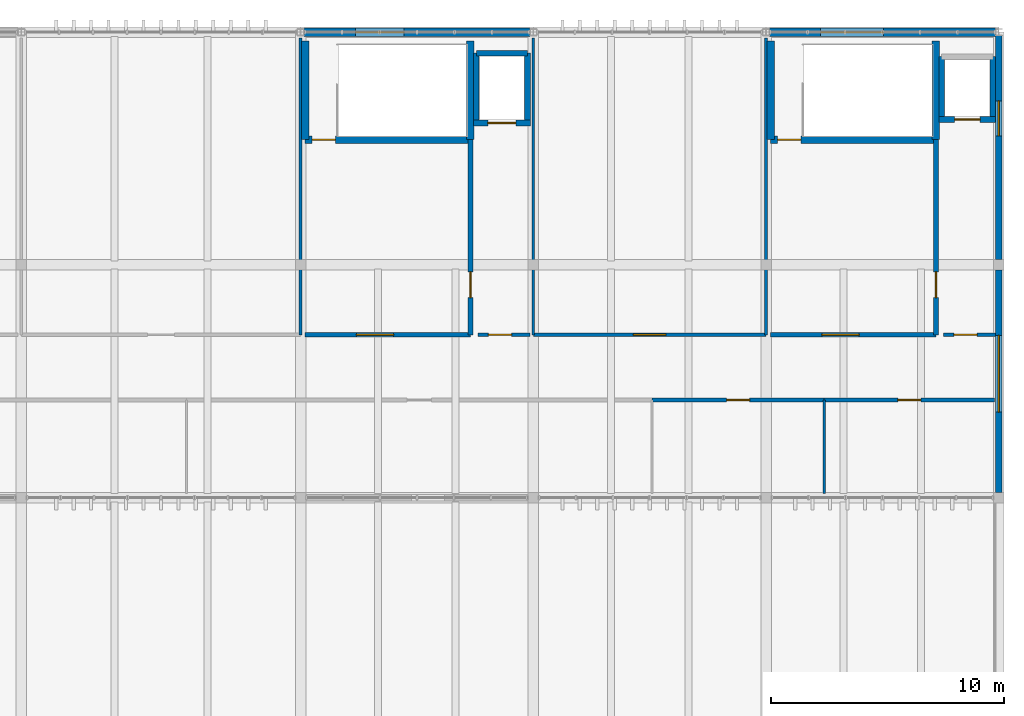
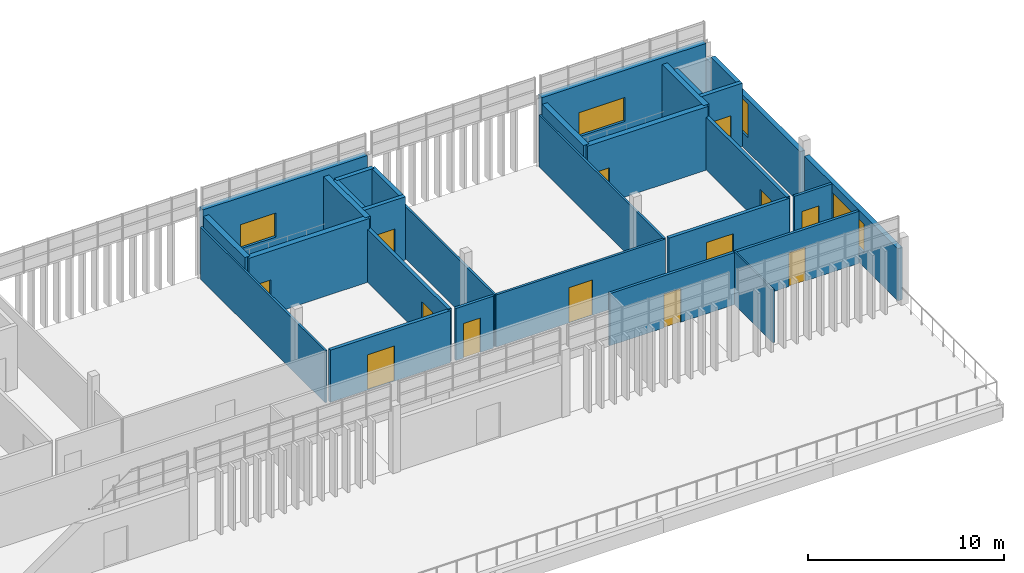
# One storey, part 34 of 36: 30 walls, 13 doors, 4 windows, 17 openings.
"""IFC4 building model written with IfcOpenShell, lengths in metres."""

import ifcopenshell
import ifcopenshell.guid

model = None  # the IFC model being written
_history = None  # IfcOwnerHistory: only IFC2X3 demands one
_inside = {}  # id of a spatial element -> (the spatial element, [elements in it])
_under = {}  # id of a project, library or spatial element -> (it, [spatial elements below it])
_declared = {}  # id of a project -> (the project, [libraries it declares])
_typed = {}  # id of a type object -> (the type object, [elements of that type])
_made_of = {}  # id of a material, layer set ... -> (it, [elements and type objects made of it])


def new_model(schema):
    """Start an empty IFC model of exactly this schema.

    Asked for "IFC4X3", IfcOpenShell would pick the latest addendum, in which some entities
    have other attributes; the version numbers below select the first issue.
    IFC2X3 requires an IfcOwnerHistory on every rooted entity: one is made here for all.
    """
    global model, _history
    if schema == "IFC4X3":
        model = ifcopenshell.file(schema_version=(4, 3, 0, 0))
    else:
        model = ifcopenshell.file(schema=schema)
    _inside.clear()
    _under.clear()
    _declared.clear()
    _typed.clear()
    _made_of.clear()
    _history = None
    if model.schema == "IFC2X3":
        org = make("IfcOrganization", Name="unknown")
        user = make(
            "IfcPersonAndOrganization",
            ThePerson=make("IfcPerson", FamilyName="unknown"),
            TheOrganization=org,
        )
        app = make(
            "IfcApplication",
            ApplicationDeveloper=org,
            Version="unknown",
            ApplicationFullName="unknown",
            ApplicationIdentifier="unknown",
        )
        _history = make(
            "IfcOwnerHistory",
            OwningUser=user,
            OwningApplication=app,
            ChangeAction="ADDED",
            CreationDate=0,
        )
    return model


def make(cls, **values):
    """One entity of the class cls with the attributes given. An attribute that is None is left unset."""
    return model.create_entity(
        cls, **{name: value for name, value in values.items() if value is not None}
    )


def rooted(cls, **values):
    """An entity with a GlobalId (a new one), such as an element, a storey or a relation."""
    return make(cls, GlobalId=ifcopenshell.guid.new(), OwnerHistory=_history, **values)


def si_unit(unit_type, name, prefix=None):
    """IfcSIUnit, for example si_unit("LENGTHUNIT", "METRE", prefix="MILLI")."""
    return make("IfcSIUnit", UnitType=unit_type, Prefix=prefix, Name=name)


def assignment(units):
    """IfcUnitAssignment: the units of a project."""
    return None if units is None else make("IfcUnitAssignment", Units=units)


def point(xyz):
    """IfcCartesianPoint."""
    return None if xyz is None else make("IfcCartesianPoint", Coordinates=xyz)


def direction(xyz):
    """IfcDirection."""
    return None if xyz is None else make("IfcDirection", DirectionRatios=xyz)


def frame(location, z_axis=None, x_axis=None):
    """IfcAxis2Placement3D, a coordinate frame: its origin and axes. An axis left out is left unset."""
    return make(
        "IfcAxis2Placement3D",
        Location=point(location),
        Axis=direction(z_axis),
        RefDirection=direction(x_axis),
    )


def frame_2d(location, x_axis=None):
    """IfcAxis2Placement2D, a coordinate frame in the plane: its origin and x axis."""
    return make(
        "IfcAxis2Placement2D", Location=point(location), RefDirection=direction(x_axis)
    )


def origin():
    """The frame at (0, 0, 0) with its axes left unset."""
    return frame((0.0, 0.0, 0.0))


def place(relative_to, where):
    """IfcLocalPlacement: puts the frame where relative to a parent placement (None: the world)."""
    return make(
        "IfcLocalPlacement", PlacementRelTo=relative_to, RelativePlacement=where
    )


def context(
    kind, dimensions, precision=None, world=None, true_north=None, identifier=None
):
    """IfcGeometricRepresentationContext, for example the 3D "Model" context."""
    return make(
        "IfcGeometricRepresentationContext",
        ContextIdentifier=identifier,
        ContextType=kind,
        CoordinateSpaceDimension=dimensions,
        Precision=precision,
        WorldCoordinateSystem=world,
        TrueNorth=true_north,
    )


def subcontext(parent, identifier, kind, view, scale=None):
    """IfcGeometricRepresentationSubContext, for example "Body" below "Model"."""
    return make(
        "IfcGeometricRepresentationSubContext",
        ContextIdentifier=identifier,
        ContextType=kind,
        ParentContext=parent,
        TargetScale=scale,
        TargetView=view,
    )


def project(units=None, contexts=None):
    """IfcProject with its units and contexts."""
    return rooted(
        "IfcProject",
        Name="project",
        RepresentationContexts=contexts,
        UnitsInContext=assignment(units),
    )


def spatial(cls, under=None, at=None, **own):
    """A site, building, storey or space (cls), placed at a placement, below another one or the project."""
    s = rooted(cls, ObjectPlacement=at, **own)
    if under is not None:
        _under.setdefault(under.id(), (under, []))[1].append(s)
    return s


def profile(cls, at=None, kind="AREA", **sizes):
    """A parametric profile (cls). Its sizes go by their IFC names, for example OverallWidth=200.0."""
    return make(cls, ProfileType=kind, Position=at, **sizes)


def rectangle(**sizes):
    """IfcRectangleProfileDef."""
    return profile("IfcRectangleProfileDef", **sizes)


def extrude(swept, where, along, depth):
    """IfcExtrudedAreaSolid: the profile swept, set in the frame where, extruded along a direction by depth."""
    return make(
        "IfcExtrudedAreaSolid",
        SweptArea=swept,
        Position=where,
        ExtrudedDirection=direction(along),
        Depth=depth,
    )


def shape(context_of_items, identifier, shape_type, items):
    """IfcShapeRepresentation: the items that make up one representation, for example the "Body"."""
    return make(
        "IfcShapeRepresentation",
        ContextOfItems=context_of_items,
        RepresentationIdentifier=identifier,
        RepresentationType=shape_type,
        Items=items,
    )


def material(Name=None, Category=None):
    """IfcMaterial."""
    return make("IfcMaterial", Name=Name, Category=Category)


def layer(
    of_material, thickness, ventilated=None, Name=None, Category=None, Priority=None
):
    """IfcMaterialLayer: one layer of a wall or slab, of a material (None: an air gap)."""
    return make(
        "IfcMaterialLayer",
        Material=of_material,
        LayerThickness=thickness,
        IsVentilated=ventilated,
        Name=Name,
        Category=Category,
        Priority=Priority,
    )


def layer_set(layers, Name=None):
    """IfcMaterialLayerSet."""
    return make("IfcMaterialLayerSet", MaterialLayers=layers, LayerSetName=Name)


def made_of(thing, what):
    """Note that an element or type object is made of a material, layer set ...; save() writes the relation."""
    if what is not None:
        _made_of.setdefault(what.id(), (what, []))[1].append(thing)
    return thing


def type_object(cls, material=None, **own):
    """A type object (cls), such as IfcWallType, which elements share."""
    return made_of(rooted(cls, **own), material)


def element(
    cls,
    number,
    at=None,
    inside=None,
    cuts=None,
    type_object=None,
    material=None,
    context=None,
    identifier="Body",
    shape_type=None,
    held_by="IfcProductDefinitionShape",
    body=None,
    shapes=None,
    **own,
):
    """One element of the class cls, such as IfcWall. Its Tag is "e" and its number.

    at: its placement. inside: the storey or other place that contains it. cuts: it is an
    opening in that element (IfcRelVoidsElement). A single representation is given by context,
    identifier, shape_type and body (its items); several are given by shapes. held_by: the class
    of the entity that holds the representations. save() writes the other relations.
    """
    e = rooted(cls, Tag="e%d" % number, ObjectPlacement=at, **own)
    if body is not None:
        shapes = [shape(context, identifier, shape_type, body)]
    if shapes is not None:
        e.Representation = make(held_by, Representations=shapes)
    if inside is not None:
        _inside.setdefault(inside.id(), (inside, []))[1].append(e)
    if cuts is not None:
        rooted(
            "IfcRelVoidsElement", RelatingBuildingElement=cuts, RelatedOpeningElement=e
        )
    if type_object is not None:
        _typed.setdefault(type_object.id(), (type_object, []))[1].append(e)
    return made_of(e, material)


def fill(opening, filler):
    """IfcRelFillsElement: the door or window that sits in an opening."""
    return rooted(
        "IfcRelFillsElement",
        RelatingOpeningElement=opening,
        RelatedBuildingElement=filler,
    )


def aggregate(whole, parts):
    """IfcRelAggregates: a whole, such as a stair, and the parts it consists of."""
    return rooted("IfcRelAggregates", RelatingObject=whole, RelatedObjects=parts)


def save(model, path):
    """Write the relations noted so far, then the file.

    IfcRelAggregates (storeys below a building ...), IfcRelContainedInSpatialStructure (elements
    in a storey), IfcRelDefinesByType, IfcRelAssociatesMaterial and IfcRelDeclares: one each for
    every whole, place, type object, material and project.
    """
    for whole, parts in _under.values():
        aggregate(whole, parts)
    for where, things in _inside.values():
        rooted(
            "IfcRelContainedInSpatialStructure",
            RelatedElements=things,
            RelatingStructure=where,
        )
    for kind, things in _typed.values():
        rooted("IfcRelDefinesByType", RelatedObjects=things, RelatingType=kind)
    for what, things in _made_of.values():
        rooted("IfcRelAssociatesMaterial", RelatedObjects=things, RelatingMaterial=what)
    for by, libraries in _declared.values():
        rooted("IfcRelDeclares", RelatingContext=by, RelatedDefinitions=libraries)
    model.write(path)


model = new_model("IFC4")

# Units and contexts
model_context = context("Model", 3, precision=1e-05, world=origin(), true_north=direction((0.0, 1.0)))
body_context = subcontext(model_context, "Body", "Model", "MODEL_VIEW")
ifc_project = project(units=[si_unit("LENGTHUNIT", "METRE"), si_unit("AREAUNIT", "SQUARE_METRE"), si_unit("VOLUMEUNIT", "CUBIC_METRE"), si_unit("PLANEANGLEUNIT", "RADIAN"), si_unit("MASSUNIT", "GRAM", prefix="KILO")], contexts=[model_context])

# Site, building, storey
site_placement = place(None, origin())
site = spatial("IfcSite", under=ifc_project, at=site_placement, CompositionType="ELEMENT")
building_placement = place(site_placement, origin())
building = spatial("IfcBuilding", under=site, at=building_placement, Name="Mersad Railyard Sports Hall", CompositionType="ELEMENT")
storey_placement = place(building_placement, frame((0.0, 0.0, 21.60009765625)))
storey = spatial("IfcBuildingStorey", under=building, at=storey_placement, Name="L05", CompositionType="ELEMENT", Elevation=21.60009765625)

# Wall, opening, window
ifc_material_1 = material(Name="Architectural concrete C50/60", Category="concrete")
ifc_layer_1 = layer(ifc_material_1, 0.35009765625)
ifc_layer_set_1 = layer_set([ifc_layer_1], Name="Architectural concrete C50/60")
wall_type_1 = type_object("IfcWallType", Name="ARC-WL-EW02", PredefinedType="SOLIDWALL", material=ifc_layer_set_1)
wall_1_placement = place(storey_placement, frame((91.14990234375, 115.0, 0.0), z_axis=(0.0, 0.0, 1.0), x_axis=(1.0, 0.0, 0.0)))
wall_1 = element("IfcWall", 1, at=wall_1_placement, inside=storey, type_object=wall_type_1, Name="External wall EW02-0148", PredefinedType="SOLIDWALL", context=body_context, shape_type="SweptSolid", body=[
    extrude(rectangle(XDim=9.7001953125, YDim=0.35009765625, at=frame_2d((4.85009765625, 0.0))), origin(), (0.0, 0.0, 1.0), 4.199951171875),
])
opening_1_placement = place(wall_1_placement, frame((2.199951171875, 0.0, 1.0)))
opening_1 = element("IfcOpeningElement", 2, at=opening_1_placement, cuts=wall_1, Name="Opening W06", PredefinedType="OPENING", context=body_context, shape_type="SweptSolid", body=[
    extrude(rectangle(XDim=2.10009765625, YDim=1.5, at=frame_2d((1.050048828125, 0.75))), frame((0.0, 0.18505859375, 0.0), z_axis=(0.0, -1.0, 0.0), x_axis=(1.0, 0.0, 0.0)), (0.0, 0.0, 1.0), 0.3701171875),
])
ifc_material_2 = material(Name="Solar-control glass", Category="glass")
window_type_1 = type_object("IfcWindowType", Name="ARC-WN-W06", PartitioningType="DOUBLE_PANEL_VERTICAL", PredefinedType="WINDOW", material=ifc_material_2)
window_1_placement = place(opening_1_placement, origin())
window_1 = element("IfcWindow", 3, at=window_1_placement, inside=storey, type_object=window_type_1, Name="Window W06-0057", OverallHeight=1.5, OverallWidth=2.10009765625, PartitioningType="DOUBLE_PANEL_VERTICAL", PredefinedType="WINDOW", context=body_context, shape_type="SweptSolid", body=[
    extrude(rectangle(XDim=2.10009765625, YDim=1.5, at=frame_2d((1.050048828125, 0.75))), frame((0.0, 0.030029296875, 0.0), z_axis=(0.0, -1.0, 0.0), x_axis=(1.0, 0.0, 0.0)), (0.0, 0.0, 1.0), 0.06005859375),
])
fill(opening_1, window_1)

wall_2_placement = place(storey_placement, frame((111.14990234375, 115.0, 0.0), z_axis=(0.0, 0.0, 1.0), x_axis=(1.0, 0.0, 0.0)))
wall_2 = element("IfcWall", 4, at=wall_2_placement, inside=storey, type_object=wall_type_1, Name="External wall EW02-0149", PredefinedType="SOLIDWALL", context=body_context, shape_type="SweptSolid", body=[
    extrude(rectangle(XDim=9.7001953125, YDim=0.35009765625, at=frame_2d((4.85009765625, 0.0))), origin(), (0.0, 0.0, 1.0), 4.199951171875),
])
opening_2_placement = place(wall_2_placement, frame((2.199951171875, 0.0, 1.0)))
opening_2 = element("IfcOpeningElement", 5, at=opening_2_placement, cuts=wall_2, Name="Opening W08", PredefinedType="OPENING", context=body_context, shape_type="SweptSolid", body=[
    extrude(rectangle(XDim=2.699951171875, YDim=1.5, at=frame_2d((1.35009765625, 0.75))), frame((0.0, 0.18505859375, 0.0), z_axis=(0.0, -1.0, 0.0), x_axis=(1.0, 0.0, 0.0)), (0.0, 0.0, 1.0), 0.3701171875),
])
window_type_2 = type_object("IfcWindowType", Name="ARC-WN-W08", PartitioningType="DOUBLE_PANEL_VERTICAL", PredefinedType="WINDOW", material=ifc_material_2)
window_2_placement = place(opening_2_placement, origin())
window_2 = element("IfcWindow", 6, at=window_2_placement, inside=storey, type_object=window_type_2, Name="Window W08-0058", OverallHeight=1.5, OverallWidth=2.699951171875, PartitioningType="DOUBLE_PANEL_VERTICAL", PredefinedType="WINDOW", context=body_context, shape_type="SweptSolid", body=[
    extrude(rectangle(XDim=2.699951171875, YDim=1.5, at=frame_2d((1.35009765625, 0.75))), frame((0.0, 0.030029296875, 0.0), z_axis=(0.0, -1.0, 0.0), x_axis=(1.0, 0.0, 0.0)), (0.0, 0.0, 1.0), 0.06005859375),
])
fill(opening_2, window_2)

ifc_material_3 = material(Name="Precast concrete C45/55", Category="concrete")
ifc_layer_2 = layer(ifc_material_3, 0.280029296875)
ifc_layer_set_2 = layer_set([ifc_layer_2], Name="Precast concrete C45/55")
wall_type_2 = type_object("IfcWallType", Name="ARC-WL-EW03", PredefinedType="SOLIDWALL", material=ifc_layer_set_2)
wall_3_placement = place(storey_placement, frame((121.0, 104.77490234375, 0.0), z_axis=(0.0, 0.0, 1.0), x_axis=(0.0, -1.0, 0.0)))
wall_3 = element("IfcWall", 7, at=wall_3_placement, inside=storey, type_object=wall_type_2, Name="External wall EW03-0154", PredefinedType="SOLIDWALL", context=body_context, shape_type="SweptSolid", body=[
    extrude(rectangle(XDim=9.5498046875, YDim=0.280029296875, at=frame_2d((4.77490234375, 0.0))), origin(), (0.0, 0.0, 1.0), 3.25),
])
opening_3_placement = place(wall_3_placement, frame((2.800048828125, 0.0, 0.89990234375)))
opening_3 = element("IfcOpeningElement", 8, at=opening_3_placement, cuts=wall_3, Name="Opening W16", PredefinedType="OPENING", context=body_context, shape_type="SweptSolid", body=[
    extrude(rectangle(XDim=3.300048828125, YDim=1.800048828125, at=frame_2d((1.64990234375, 0.89990234375))), frame((0.0, 0.14990234375, 0.0), z_axis=(0.0, -1.0, 0.0), x_axis=(1.0, 0.0, 0.0)), (0.0, 0.0, 1.0), 0.300048828125),
])
window_type_3 = type_object("IfcWindowType", Name="ARC-WN-W16", PartitioningType="DOUBLE_PANEL_VERTICAL", PredefinedType="WINDOW", material=ifc_material_2)
window_3_placement = place(opening_3_placement, origin())
window_3 = element("IfcWindow", 9, at=window_3_placement, inside=storey, type_object=window_type_3, Name="Window W16-0061", OverallHeight=1.800048828125, OverallWidth=3.300048828125, PartitioningType="DOUBLE_PANEL_VERTICAL", PredefinedType="WINDOW", context=body_context, shape_type="SweptSolid", body=[
    extrude(rectangle(XDim=3.300048828125, YDim=1.800048828125, at=frame_2d((1.64990234375, 0.89990234375))), frame((0.0, 0.030029296875, 0.0), z_axis=(0.0, -1.0, 0.0), x_axis=(1.0, 0.0, 0.0)), (0.0, 0.0, 1.0), 0.06005859375),
])
fill(opening_3, window_3)

wall_4_placement = place(storey_placement, frame((121.0, 114.85009765625, 0.0), z_axis=(0.0, 0.0, 1.0), x_axis=(0.0, -1.0, 0.0)))
wall_4 = element("IfcWall", 10, at=wall_4_placement, inside=storey, type_object=wall_type_2, Name="External wall EW03-0155", PredefinedType="SOLIDWALL", context=body_context, shape_type="SweptSolid", body=[
    extrude(rectangle(XDim=9.625, YDim=0.280029296875, at=frame_2d((4.8125, 0.0))), origin(), (0.0, 0.0, 1.0), 3.25),
])
opening_4_placement = place(wall_4_placement, frame((2.800048828125, 0.0, 0.89990234375)))
opening_4 = element("IfcOpeningElement", 11, at=opening_4_placement, cuts=wall_4, Name="Opening W17", PredefinedType="OPENING", context=body_context, shape_type="SweptSolid", body=[
    extrude(rectangle(XDim=1.5, YDim=2.10009765625, at=frame_2d((0.75, 1.050048828125))), frame((0.0, 0.14990234375, 0.0), z_axis=(0.0, -1.0, 0.0), x_axis=(1.0, 0.0, 0.0)), (0.0, 0.0, 1.0), 0.300048828125),
])
window_type_4 = type_object("IfcWindowType", Name="ARC-WN-W17", PartitioningType="SINGLE_PANEL", PredefinedType="WINDOW", material=ifc_material_2)
window_4_placement = place(opening_4_placement, origin())
window_4 = element("IfcWindow", 12, at=window_4_placement, inside=storey, type_object=window_type_4, Name="Window W17-0062", OverallHeight=2.10009765625, OverallWidth=1.5, PartitioningType="SINGLE_PANEL", PredefinedType="WINDOW", context=body_context, shape_type="SweptSolid", body=[
    extrude(rectangle(XDim=1.5, YDim=2.10009765625, at=frame_2d((0.75, 1.050048828125))), frame((0.0, 0.030029296875, 0.0), z_axis=(0.0, -1.0, 0.0), x_axis=(1.0, 0.0, 0.0)), (0.0, 0.0, 1.0), 0.06005859375),
])
fill(opening_4, window_4)

# Wall, opening, door
ifc_layer_3 = layer(ifc_material_3, 0.199951171875)
ifc_layer_set_3 = layer_set([ifc_layer_3], Name="Precast concrete C45/55")
wall_type_3 = type_object("IfcWallType", Name="ARC-WL-PT01", PredefinedType="PARTITIONING", material=ifc_layer_set_3)
wall_5_placement = place(storey_placement, frame((91.199951171875, 102.0, 0.0), z_axis=(0.0, 0.0, 1.0), x_axis=(1.0, 0.0, 0.0)))
wall_5 = element("IfcWall", 13, at=wall_5_placement, inside=storey, type_object=wall_type_3, Name="Interior wall PT01-0232", PredefinedType="PARTITIONING", context=body_context, shape_type="SweptSolid", body=[
    extrude(rectangle(XDim=7.10009765625, YDim=0.199951171875, at=frame_2d((3.550048828125, 0.0))), origin(), (0.0, 0.0, 1.0), 3.25),
])
opening_5_placement = place(wall_5_placement, frame((2.199951171875, 0.0, 0.0)))
opening_5 = element("IfcOpeningElement", 14, at=opening_5_placement, cuts=wall_5, Name="Opening FD04", PredefinedType="OPENING", context=body_context, shape_type="SweptSolid", body=[
    extrude(rectangle(XDim=1.60009765625, YDim=2.199951171875, at=frame_2d((0.800048828125, 1.10009765625))), frame((0.0, 0.10986328125, 0.0), z_axis=(0.0, -1.0, 0.0), x_axis=(1.0, 0.0, 0.0)), (0.0, 0.0, 1.0), 0.219970703125),
])
ifc_material_4 = material(Name="Steel S355", Category="steel")
door_type_1 = type_object("IfcDoorType", Name="ARC-DR-FD04", OperationType="NOTDEFINED", PredefinedType="DOOR", material=ifc_material_4)
door_1_placement = place(opening_5_placement, origin())
door_1 = element("IfcDoor", 15, at=door_1_placement, inside=storey, type_object=door_type_1, Name="C2 firefighting lobby door FD04-0094", OperationType="DOUBLE_DOOR_SINGLE_SWING", OverallHeight=2.199951171875, OverallWidth=1.60009765625, PredefinedType="DOOR", context=body_context, shape_type="SweptSolid", body=[
    extrude(rectangle(XDim=1.60009765625, YDim=2.199951171875, at=frame_2d((0.800048828125, 1.10009765625))), frame((0.0, 0.02490234375, 0.0), z_axis=(0.0, -1.0, 0.0), x_axis=(1.0, 0.0, 0.0)), (0.0, 0.0, 1.0), 0.050048828125),
])
fill(opening_5, door_1)

wall_6_placement = place(storey_placement, frame((98.300048828125, 102.0, 0.0), z_axis=(0.0, 0.0, 1.0), x_axis=(0.0, 1.0, 0.0)))
wall_6 = element("IfcWall", 16, at=wall_6_placement, inside=storey, type_object=wall_type_3, Name="Interior wall PT01-0233", PredefinedType="PARTITIONING", context=body_context, shape_type="SweptSolid", body=[
    extrude(rectangle(XDim=8.3798828125, YDim=0.199951171875, at=frame_2d((4.18994140625, 0.0))), origin(), (0.0, 0.0, 1.0), 3.2998046875),
])
opening_6_placement = place(wall_6_placement, frame((1.60009765625, 0.0, 0.0)))
opening_6 = element("IfcOpeningElement", 17, at=opening_6_placement, cuts=wall_6, Name="Opening FD01", PredefinedType="OPENING", context=body_context, shape_type="SweptSolid", body=[
    extrude(rectangle(XDim=1.10009765625, YDim=2.14990234375, at=frame_2d((0.550048828125, 1.074951171875))), frame((0.0, 0.10986328125, 0.0), z_axis=(0.0, -1.0, 0.0), x_axis=(1.0, 0.0, 0.0)), (0.0, 0.0, 1.0), 0.219970703125),
])
door_type_2 = type_object("IfcDoorType", Name="ARC-DR-FD01", OperationType="NOTDEFINED", PredefinedType="DOOR", material=ifc_material_4)
door_2_placement = place(opening_6_placement, origin())
door_2 = element("IfcDoor", 18, at=door_2_placement, inside=storey, type_object=door_type_2, Name="C2 lift-to-firefighting lobby door FD01-0095", OperationType="SINGLE_SWING_LEFT", OverallHeight=2.14990234375, OverallWidth=1.10009765625, PredefinedType="DOOR", context=body_context, shape_type="SweptSolid", body=[
    extrude(rectangle(XDim=1.10009765625, YDim=2.14990234375, at=frame_2d((0.550048828125, 1.074951171875))), frame((0.0, 0.02490234375, 0.0), z_axis=(0.0, -1.0, 0.0), x_axis=(1.0, 0.0, 0.0)), (0.0, 0.0, 1.0), 0.050048828125),
])
fill(opening_6, door_2)

wall_7_placement = place(storey_placement, frame((111.199951171875, 102.0, 0.0), z_axis=(0.0, 0.0, 1.0), x_axis=(1.0, 0.0, 0.0)))
wall_7 = element("IfcWall", 19, at=wall_7_placement, inside=storey, type_object=wall_type_3, Name="Interior wall PT01-0274", PredefinedType="PARTITIONING", context=body_context, shape_type="SweptSolid", body=[
    extrude(rectangle(XDim=7.10009765625, YDim=0.199951171875, at=frame_2d((3.550048828125, 0.0))), origin(), (0.0, 0.0, 1.0), 3.25),
])
opening_7_placement = place(wall_7_placement, frame((2.199951171875, 0.0, 0.0)))
opening_7 = element("IfcOpeningElement", 20, at=opening_7_placement, cuts=wall_7, Name="Opening FD04", PredefinedType="OPENING", context=body_context, shape_type="SweptSolid", body=[
    extrude(rectangle(XDim=1.60009765625, YDim=2.199951171875, at=frame_2d((0.800048828125, 1.10009765625))), frame((0.0, 0.10986328125, 0.0), z_axis=(0.0, -1.0, 0.0), x_axis=(1.0, 0.0, 0.0)), (0.0, 0.0, 1.0), 0.219970703125),
])
door_3_placement = place(opening_7_placement, origin())
door_3 = element("IfcDoor", 21, at=door_3_placement, inside=storey, type_object=door_type_1, Name="C3 firefighting lobby door FD04-0122", OperationType="DOUBLE_DOOR_SINGLE_SWING", OverallHeight=2.199951171875, OverallWidth=1.60009765625, PredefinedType="DOOR", context=body_context, shape_type="SweptSolid", body=[
    extrude(rectangle(XDim=1.60009765625, YDim=2.199951171875, at=frame_2d((0.800048828125, 1.10009765625))), frame((0.0, 0.02490234375, 0.0), z_axis=(0.0, -1.0, 0.0), x_axis=(1.0, 0.0, 0.0)), (0.0, 0.0, 1.0), 0.050048828125),
])
fill(opening_7, door_3)

wall_8_placement = place(storey_placement, frame((118.300048828125, 102.0, 0.0), z_axis=(0.0, 0.0, 1.0), x_axis=(0.0, 1.0, 0.0)))
wall_8 = element("IfcWall", 22, at=wall_8_placement, inside=storey, type_object=wall_type_3, Name="Interior wall PT01-0275", PredefinedType="PARTITIONING", context=body_context, shape_type="SweptSolid", body=[
    extrude(rectangle(XDim=8.3798828125, YDim=0.199951171875, at=frame_2d((4.18994140625, 0.0))), origin(), (0.0, 0.0, 1.0), 3.2998046875),
])
opening_8_placement = place(wall_8_placement, frame((1.60009765625, 0.0, 0.0)))
opening_8 = element("IfcOpeningElement", 23, at=opening_8_placement, cuts=wall_8, Name="Opening FD01", PredefinedType="OPENING", context=body_context, shape_type="SweptSolid", body=[
    extrude(rectangle(XDim=1.10009765625, YDim=2.14990234375, at=frame_2d((0.550048828125, 1.074951171875))), frame((0.0, 0.10986328125, 0.0), z_axis=(0.0, -1.0, 0.0), x_axis=(1.0, 0.0, 0.0)), (0.0, 0.0, 1.0), 0.219970703125),
])
door_4_placement = place(opening_8_placement, origin())
door_4 = element("IfcDoor", 24, at=door_4_placement, inside=storey, type_object=door_type_2, Name="C3 lift-to-firefighting lobby door FD01-0123", OperationType="SINGLE_SWING_RIGHT", OverallHeight=2.14990234375, OverallWidth=1.10009765625, PredefinedType="DOOR", context=body_context, shape_type="SweptSolid", body=[
    extrude(rectangle(XDim=1.10009765625, YDim=2.14990234375, at=frame_2d((0.550048828125, 1.074951171875))), frame((0.0, 0.02490234375, 0.0), z_axis=(0.0, -1.0, 0.0), x_axis=(1.0, 0.0, 0.0)), (0.0, 0.0, 1.0), 0.050048828125),
])
fill(opening_8, door_4)

ifc_material_5 = material(Name="Gypsum plasterboard", Category="gypsum")
ifc_layer_4 = layer(ifc_material_5, 0.159912109375)
ifc_layer_set_4 = layer_set([ifc_layer_4], Name="Gypsum plasterboard")
wall_type_4 = type_object("IfcWallType", Name="ARC-WL-PT02", PredefinedType="PARTITIONING", material=ifc_layer_set_4)
wall_9_placement = place(storey_placement, frame((98.6201171875, 102.0, 0.0), z_axis=(0.0, 0.0, 1.0), x_axis=(1.0, 0.0, 0.0)))
wall_9 = element("IfcWall", 25, at=wall_9_placement, inside=storey, type_object=wall_type_4, Name="Interior wall PT02-0234", PredefinedType="PARTITIONING", context=body_context, shape_type="SweptSolid", body=[
    extrude(rectangle(XDim=2.22998046875, YDim=0.159912109375, at=frame_2d((1.114990234375, 0.0))), origin(), (0.0, 0.0, 1.0), 3.25),
])
opening_9_placement = place(wall_9_placement, frame((0.449951171875, 0.0, 0.0)))
opening_9 = element("IfcOpeningElement", 26, at=opening_9_placement, cuts=wall_9, Name="Opening FD02", PredefinedType="OPENING", context=body_context, shape_type="SweptSolid", body=[
    extrude(rectangle(XDim=1.0, YDim=2.14990234375, at=frame_2d((0.5, 1.074951171875))), frame((0.0, 0.08984375, 0.0), z_axis=(0.0, -1.0, 0.0), x_axis=(1.0, 0.0, 0.0)), (0.0, 0.0, 1.0), 0.179931640625),
])
door_type_3 = type_object("IfcDoorType", Name="ARC-DR-FD02", OperationType="NOTDEFINED", PredefinedType="DOOR", material=ifc_material_4)
door_5_placement = place(opening_9_placement, origin())
door_5 = element("IfcDoor", 27, at=door_5_placement, inside=storey, type_object=door_type_3, Name="C2 lift lobby corridor door FD02-0096", OperationType="SINGLE_SWING_RIGHT", OverallHeight=2.14990234375, OverallWidth=1.0, PredefinedType="DOOR", context=body_context, shape_type="SweptSolid", body=[
    extrude(rectangle(XDim=1.0, YDim=2.14990234375, at=frame_2d((0.5, 1.074951171875))), frame((0.0, 0.02490234375, 0.0), z_axis=(0.0, -1.0, 0.0), x_axis=(1.0, 0.0, 0.0)), (0.0, 0.0, 1.0), 0.050048828125),
])
fill(opening_9, door_5)

wall_10_placement = place(storey_placement, frame((118.6201171875, 102.0, 0.0), z_axis=(0.0, 0.0, 1.0), x_axis=(1.0, 0.0, 0.0)))
wall_10 = element("IfcWall", 28, at=wall_10_placement, inside=storey, type_object=wall_type_4, Name="Interior wall PT02-0276", PredefinedType="PARTITIONING", context=body_context, shape_type="SweptSolid", body=[
    extrude(rectangle(XDim=2.22998046875, YDim=0.159912109375, at=frame_2d((1.114990234375, 0.0))), origin(), (0.0, 0.0, 1.0), 3.25),
])
opening_10_placement = place(wall_10_placement, frame((0.449951171875, 0.0, 0.0)))
opening_10 = element("IfcOpeningElement", 29, at=opening_10_placement, cuts=wall_10, Name="Opening FD02", PredefinedType="OPENING", context=body_context, shape_type="SweptSolid", body=[
    extrude(rectangle(XDim=1.0, YDim=2.14990234375, at=frame_2d((0.5, 1.074951171875))), frame((0.0, 0.08984375, 0.0), z_axis=(0.0, -1.0, 0.0), x_axis=(1.0, 0.0, 0.0)), (0.0, 0.0, 1.0), 0.179931640625),
])
door_6_placement = place(opening_10_placement, origin())
door_6 = element("IfcDoor", 30, at=door_6_placement, inside=storey, type_object=door_type_3, Name="C3 lift lobby corridor door FD02-0124", OperationType="SINGLE_SWING_LEFT", OverallHeight=2.14990234375, OverallWidth=1.0, PredefinedType="DOOR", context=body_context, shape_type="SweptSolid", body=[
    extrude(rectangle(XDim=1.0, YDim=2.14990234375, at=frame_2d((0.5, 1.074951171875))), frame((0.0, 0.02490234375, 0.0), z_axis=(0.0, -1.0, 0.0), x_axis=(1.0, 0.0, 0.0)), (0.0, 0.0, 1.0), 0.050048828125),
])
fill(opening_10, door_6)

wall_11_placement = place(storey_placement, frame((106.10009765625, 99.199951171875, 0.0), z_axis=(0.0, 0.0, 1.0), x_axis=(1.0, 0.0, 0.0)))
wall_11 = element("IfcWall", 31, at=wall_11_placement, inside=storey, type_object=wall_type_4, Name="Interior wall PT02-0518", PredefinedType="PARTITIONING", context=body_context, shape_type="SweptSolid", body=[
    extrude(rectangle(XDim=7.39990234375, YDim=0.159912109375, at=frame_2d((3.699951171875, 0.0))), origin(), (0.0, 0.0, 1.0), 3.25),
])
opening_11_placement = place(wall_11_placement, frame((3.2099609375, 0.0, 0.0)))
opening_11 = element("IfcOpeningElement", 32, at=opening_11_placement, cuts=wall_11, Name="Opening FD06", PredefinedType="OPENING", context=body_context, shape_type="SweptSolid", body=[
    extrude(rectangle(XDim=0.97998046875, YDim=2.10009765625, at=frame_2d((0.489990234375, 1.050048828125))), frame((0.0, 0.08984375, 0.0), z_axis=(0.0, -1.0, 0.0), x_axis=(1.0, 0.0, 0.0)), (0.0, 0.0, 1.0), 0.179931640625),
])
door_type_4 = type_object("IfcDoorType", Name="ARC-DR-FD06", OperationType="NOTDEFINED", PredefinedType="DOOR", material=ifc_material_4)
door_7_placement = place(opening_11_placement, origin())
door_7 = element("IfcDoor", 33, at=door_7_placement, inside=storey, type_object=door_type_4, Name="L05 south room door FD06-0234", OperationType="SINGLE_SWING_RIGHT", OverallHeight=2.10009765625, OverallWidth=0.97998046875, PredefinedType="DOOR", context=body_context, shape_type="SweptSolid", body=[
    extrude(rectangle(XDim=0.97998046875, YDim=2.10009765625, at=frame_2d((0.489990234375, 1.050048828125))), frame((0.0, 0.02490234375, 0.0), z_axis=(0.0, -1.0, 0.0), x_axis=(1.0, 0.0, 0.0)), (0.0, 0.0, 1.0), 0.050048828125),
])
fill(opening_11, door_7)

wall_12_placement = place(storey_placement, frame((113.5, 99.199951171875, 0.0), z_axis=(0.0, 0.0, 1.0), x_axis=(1.0, 0.0, 0.0)))
wall_12 = element("IfcWall", 34, at=wall_12_placement, inside=storey, type_object=wall_type_4, Name="Interior wall PT02-0520", PredefinedType="PARTITIONING", context=body_context, shape_type="SweptSolid", body=[
    extrude(rectangle(XDim=7.320068359375, YDim=0.159912109375, at=frame_2d((3.66015625, 0.0))), origin(), (0.0, 0.0, 1.0), 3.25),
])
opening_12_placement = place(wall_12_placement, frame((3.169921875, 0.0, 0.0)))
opening_12 = element("IfcOpeningElement", 35, at=opening_12_placement, cuts=wall_12, Name="Opening FD06", PredefinedType="OPENING", context=body_context, shape_type="SweptSolid", body=[
    extrude(rectangle(XDim=0.97998046875, YDim=2.10009765625, at=frame_2d((0.489990234375, 1.050048828125))), frame((0.0, 0.08984375, 0.0), z_axis=(0.0, -1.0, 0.0), x_axis=(1.0, 0.0, 0.0)), (0.0, 0.0, 1.0), 0.179931640625),
])
door_8_placement = place(opening_12_placement, origin())
door_8 = element("IfcDoor", 36, at=door_8_placement, inside=storey, type_object=door_type_4, Name="L05 south room door FD06-0235", OperationType="SINGLE_SWING_LEFT", OverallHeight=2.10009765625, OverallWidth=0.97998046875, PredefinedType="DOOR", context=body_context, shape_type="SweptSolid", body=[
    extrude(rectangle(XDim=0.97998046875, YDim=2.10009765625, at=frame_2d((0.489990234375, 1.050048828125))), frame((0.0, 0.02490234375, 0.0), z_axis=(0.0, -1.0, 0.0), x_axis=(1.0, 0.0, 0.0)), (0.0, 0.0, 1.0), 0.050048828125),
])
fill(opening_12, door_8)

ifc_layer_5 = layer(ifc_material_5, 0.139892578125)
ifc_layer_set_5 = layer_set([ifc_layer_5], Name="Gypsum plasterboard")
wall_type_5 = type_object("IfcWallType", Name="ARC-WL-PT03", PredefinedType="PARTITIONING", material=ifc_layer_set_5)
wall_13_placement = place(storey_placement, frame((101.0, 102.0, 0.0), z_axis=(0.0, 0.0, 1.0), x_axis=(1.0, 0.0, 0.0)))
wall_13 = element("IfcWall", 37, at=wall_13_placement, inside=storey, type_object=wall_type_5, Name="Interior wall PT03-0525", PredefinedType="PARTITIONING", context=body_context, shape_type="SweptSolid", body=[
    extrude(rectangle(XDim=10.0, YDim=0.139892578125, at=frame_2d((5.0, 0.0))), origin(), (0.0, 0.0, 1.0), 3.25),
])
opening_13_placement = place(wall_13_placement, frame((4.300048828125, 0.0, 0.0)))
opening_13 = element("IfcOpeningElement", 38, at=opening_13_placement, cuts=wall_13, Name="Opening FD09", PredefinedType="OPENING", context=body_context, shape_type="SweptSolid", body=[
    extrude(rectangle(XDim=1.39990234375, YDim=2.199951171875, at=frame_2d((0.699951171875, 1.10009765625))), frame((0.0, 0.079833984375, 0.0), z_axis=(0.0, -1.0, 0.0), x_axis=(1.0, 0.0, 0.0)), (0.0, 0.0, 1.0), 0.159912109375),
])
door_type_5 = type_object("IfcDoorType", Name="ARC-DR-FD09", OperationType="NOTDEFINED", PredefinedType="DOOR", material=ifc_material_4)
door_9_placement = place(opening_13_placement, origin())
door_9 = element("IfcDoor", 39, at=door_9_placement, inside=storey, type_object=door_type_5, Name="L05 north studio door FD09-0237", OperationType="SINGLE_SWING_LEFT", OverallHeight=2.199951171875, OverallWidth=1.39990234375, PredefinedType="DOOR", context=body_context, shape_type="SweptSolid", body=[
    extrude(rectangle(XDim=1.39990234375, YDim=2.199951171875, at=frame_2d((0.699951171875, 1.10009765625))), frame((0.0, 0.02490234375, 0.0), z_axis=(0.0, -1.0, 0.0), x_axis=(1.0, 0.0, 0.0)), (0.0, 0.0, 1.0), 0.050048828125),
])
fill(opening_13, door_9)

# Walls
ifc_layer_6 = layer(ifc_material_5, 0.1201171875)
ifc_layer_set_6 = layer_set([ifc_layer_6], Name="Gypsum plasterboard")
wall_type_6 = type_object("IfcWallType", Name="ARC-WL-PT04", PredefinedType="PARTITIONING", material=ifc_layer_set_6)
for number, where, z_axis, x_axis, name in (
    (40, (91.0, 102.0, 0.0), (0.0, 0.0, 1.0), (0.0, 1.0, 0.0), "Interior wall PT04-0524"),
    (41, (101.0, 102.0, 0.0), (0.0, 0.0, 1.0), (0.0, 1.0, 0.0), "Interior wall PT04-0526"),
    (42, (111.0, 102.0, 0.0), (0.0, 0.0, 1.0), (0.0, 1.0, 0.0), "Interior wall PT04-0527"),
):
    element("IfcWall", number, at=place(storey_placement, frame(where, z_axis=z_axis, x_axis=x_axis)), inside=storey, type_object=wall_type_6, Name=name, PredefinedType="PARTITIONING", context=body_context, shape_type="SweptSolid", body=[
        extrude(rectangle(XDim=12.75, YDim=0.1201171875, at=frame_2d((6.375, 0.0))), origin(), (0.0, 0.0, 1.0), 3.25),
    ])
ifc_layer_7 = layer(ifc_material_5, 0.10009765625)
ifc_layer_set_7 = layer_set([ifc_layer_7], Name="Gypsum plasterboard")
wall_type_7 = type_object("IfcWallType", Name="ARC-WL-PT05", PredefinedType="PARTITIONING", material=ifc_layer_set_7)
wall_14_placement = place(storey_placement, frame((113.5, 95.18994140625, 0.0), z_axis=(0.0, 0.0, 1.0), x_axis=(0.0, 1.0, 0.0)))
element("IfcWall", 43, at=wall_14_placement, inside=storey, type_object=wall_type_7, Name="Interior wall PT05-0521", PredefinedType="PARTITIONING", context=body_context, shape_type="SweptSolid", body=[
    extrude(rectangle(XDim=4.010009765625, YDim=0.10009765625, at=frame_2d((2.0048828125, 0.0))), origin(), (0.0, 0.0, 1.0), 3.2998046875),
])

# Wall, opening, door
ifc_material_6 = material(Name="Concrete C40/50", Category="concrete")
ifc_layer_8 = layer(ifc_material_6, 0.320068359375)
ifc_layer_set_8 = layer_set([ifc_layer_8], Name="Concrete C40/50")
wall_type_8 = type_object("IfcWallType", Name="STR-WL-SW02", PredefinedType="SHEAR", material=ifc_layer_set_8)
wall_15_placement = place(storey_placement, frame((91.199951171875, 110.3798828125, 0.0), z_axis=(0.0, 0.0, 1.0), x_axis=(1.0, 0.0, 0.0)))
wall_15 = element("IfcWall", 44, at=wall_15_placement, inside=storey, type_object=wall_type_8, Name="Interior wall SW02-0229", PredefinedType="SHEAR", context=body_context, shape_type="SweptSolid", body=[
    extrude(rectangle(XDim=7.10009765625, YDim=0.320068359375, at=frame_2d((3.550048828125, 0.0))), origin(), (0.0, 0.0, 1.0), 3.949951171875),
])
opening_14_placement = place(wall_15_placement, frame((0.300048828125, 0.0, 0.0)))
opening_14 = element("IfcOpeningElement", 45, at=opening_14_placement, cuts=wall_15, Name="Opening FD02", PredefinedType="OPENING", context=body_context, shape_type="SweptSolid", body=[
    extrude(rectangle(XDim=1.0, YDim=2.14990234375, at=frame_2d((0.5, 1.074951171875))), frame((0.0, 0.169921875, 0.0), z_axis=(0.0, -1.0, 0.0), x_axis=(1.0, 0.0, 0.0)), (0.0, 0.0, 1.0), 0.340087890625),
])
door_10_placement = place(opening_14_placement, origin())
door_10 = element("IfcDoor", 46, at=door_10_placement, inside=storey, type_object=door_type_3, Name="C2 stair entrance door FD02-0093", OperationType="SINGLE_SWING_RIGHT", OverallHeight=2.14990234375, OverallWidth=1.0, PredefinedType="DOOR", context=body_context, shape_type="SweptSolid", body=[
    extrude(rectangle(XDim=1.0, YDim=2.14990234375, at=frame_2d((0.5, 1.074951171875))), frame((0.0, 0.02490234375, 0.0), z_axis=(0.0, -1.0, 0.0), x_axis=(1.0, 0.0, 0.0)), (0.0, 0.0, 1.0), 0.050048828125),
])
fill(opening_14, door_10)

# Walls
for number, where, z_axis, x_axis, name in (
    (47, (98.300048828125, 110.3798828125, 0.0), (0.0, 0.0, 1.0), (0.0, 1.0, 0.0), "Interior wall SW02-0230"),
    (48, (91.199951171875, 114.6201171875, 0.0), (0.0, 0.0, 1.0), (0.0, -1.0, 0.0), "Interior wall SW02-0231"),
):
    element("IfcWall", number, at=place(storey_placement, frame(where, z_axis=z_axis, x_axis=x_axis)), inside=storey, type_object=wall_type_8, Name=name, PredefinedType="SHEAR", context=body_context, shape_type="SweptSolid", body=[
        extrude(rectangle(XDim=4.240234375, YDim=0.320068359375, at=frame_2d((2.1201171875, 0.0))), origin(), (0.0, 0.0, 1.0), 3.949951171875),
    ])

# Wall, opening, door
wall_16_placement = place(storey_placement, frame((111.199951171875, 110.3798828125, 0.0), z_axis=(0.0, 0.0, 1.0), x_axis=(1.0, 0.0, 0.0)))
wall_16 = element("IfcWall", 49, at=wall_16_placement, inside=storey, type_object=wall_type_8, Name="Interior wall SW02-0271", PredefinedType="SHEAR", context=body_context, shape_type="SweptSolid", body=[
    extrude(rectangle(XDim=7.10009765625, YDim=0.320068359375, at=frame_2d((3.550048828125, 0.0))), origin(), (0.0, 0.0, 1.0), 3.949951171875),
])
opening_15_placement = place(wall_16_placement, frame((0.300048828125, 0.0, 0.0)))
opening_15 = element("IfcOpeningElement", 50, at=opening_15_placement, cuts=wall_16, Name="Opening FD02", PredefinedType="OPENING", context=body_context, shape_type="SweptSolid", body=[
    extrude(rectangle(XDim=1.0, YDim=2.14990234375, at=frame_2d((0.5, 1.074951171875))), frame((0.0, 0.169921875, 0.0), z_axis=(0.0, -1.0, 0.0), x_axis=(1.0, 0.0, 0.0)), (0.0, 0.0, 1.0), 0.340087890625),
])
door_11_placement = place(opening_15_placement, origin())
door_11 = element("IfcDoor", 51, at=door_11_placement, inside=storey, type_object=door_type_3, Name="C3 stair entrance door FD02-0121", OperationType="SINGLE_SWING_LEFT", OverallHeight=2.14990234375, OverallWidth=1.0, PredefinedType="DOOR", context=body_context, shape_type="SweptSolid", body=[
    extrude(rectangle(XDim=1.0, YDim=2.14990234375, at=frame_2d((0.5, 1.074951171875))), frame((0.0, 0.02490234375, 0.0), z_axis=(0.0, -1.0, 0.0), x_axis=(1.0, 0.0, 0.0)), (0.0, 0.0, 1.0), 0.050048828125),
])
fill(opening_15, door_11)

# Walls
for number, where, z_axis, x_axis, name in (
    (52, (118.300048828125, 110.3798828125, 0.0), (0.0, 0.0, 1.0), (0.0, 1.0, 0.0), "Interior wall SW02-0272"),
    (53, (111.199951171875, 114.6201171875, 0.0), (0.0, 0.0, 1.0), (0.0, -1.0, 0.0), "Interior wall SW02-0273"),
):
    element("IfcWall", number, at=place(storey_placement, frame(where, z_axis=z_axis, x_axis=x_axis)), inside=storey, type_object=wall_type_8, Name=name, PredefinedType="SHEAR", context=body_context, shape_type="SweptSolid", body=[
        extrude(rectangle(XDim=4.240234375, YDim=0.320068359375, at=frame_2d((2.1201171875, 0.0))), origin(), (0.0, 0.0, 1.0), 3.949951171875),
    ])
ifc_layer_9 = layer(ifc_material_6, 0.239990234375)
ifc_layer_set_9 = layer_set([ifc_layer_9], Name="Concrete C40/50")
wall_type_9 = type_object("IfcWallType", Name="STR-WL-SW03", PredefinedType="SHEAR", material=ifc_layer_set_9)
for number, where, z_axis, x_axis, name in (
    (54, (98.550048828125, 111.10009765625, 0.0), (0.0, 0.0, 1.0), (0.0, 1.0, 0.0), "Interior wall SW03-0051"),
    (55, (100.75, 114.10009765625, 0.0), (0.0, 0.0, 1.0), (0.0, -1.0, 0.0), "Interior wall SW03-0052"),
):
    element("IfcWall", number, at=place(storey_placement, frame(where, z_axis=z_axis, x_axis=x_axis)), inside=storey, type_object=wall_type_9, Name=name, PredefinedType="SHEAR", context=body_context, shape_type="SweptSolid", body=[
        extrude(rectangle(XDim=3.0, YDim=0.239990234375, at=frame_2d((1.5, 0.0))), origin(), (0.0, 0.0, 1.0), 3.949951171875),
    ])
wall_17_placement = place(storey_placement, frame((98.550048828125, 114.10009765625, 0.0), z_axis=(0.0, 0.0, 1.0), x_axis=(1.0, 0.0, 0.0)))
element("IfcWall", 56, at=wall_17_placement, inside=storey, type_object=wall_type_9, Name="Interior wall SW03-0053", PredefinedType="SHEAR", context=body_context, shape_type="SweptSolid", body=[
    extrude(rectangle(XDim=2.199951171875, YDim=0.239990234375, at=frame_2d((1.10009765625, 0.0))), origin(), (0.0, 0.0, 1.0), 3.949951171875),
])

# Wall, opening, door
wall_18_placement = place(storey_placement, frame((100.8701171875, 111.10009765625, 0.0), z_axis=(0.0, 0.0, 1.0), x_axis=(-1.0, 0.0, 0.0)))
wall_18 = element("IfcWall", 57, at=wall_18_placement, inside=storey, type_object=wall_type_9, Name="Interior wall SW03-0054", PredefinedType="SHEAR", context=body_context, shape_type="SweptSolid", body=[
    extrude(rectangle(XDim=2.440185546875, YDim=0.239990234375, at=frame_2d((1.22021484375, 0.0))), origin(), (0.0, 0.0, 1.0), 3.949951171875),
])
opening_16_placement = place(wall_18_placement, frame((0.6201171875, 0.0, 0.0)))
opening_16 = element("IfcOpeningElement", 58, at=opening_16_placement, cuts=wall_18, Name="Opening LD02", PredefinedType="OPENING", context=body_context, shape_type="SweptSolid", body=[
    extrude(rectangle(XDim=1.199951171875, YDim=2.14990234375, at=frame_2d((0.60009765625, 1.074951171875))), frame((0.0, 0.1298828125, 0.0), z_axis=(0.0, -1.0, 0.0), x_axis=(1.0, 0.0, 0.0)), (0.0, 0.0, 1.0), 0.260009765625),
])
door_type_6 = type_object("IfcDoorType", Name="ARC-DR-LD02", OperationType="NOTDEFINED", PredefinedType="USERDEFINED", material=ifc_material_4)
door_12_placement = place(opening_16_placement, origin())
door_12 = element("IfcDoor", 59, at=door_12_placement, inside=storey, type_object=door_type_6, Name="Lift FFL-02 landing door LD02-0014", ObjectType="LANDING DOOR", OperationType="DOUBLE_DOOR_SLIDING", OverallHeight=2.14990234375, OverallWidth=1.199951171875, PredefinedType="USERDEFINED", context=body_context, shape_type="SweptSolid", body=[
    extrude(rectangle(XDim=1.199951171875, YDim=2.14990234375, at=frame_2d((0.60009765625, 1.074951171875))), frame((0.0, 0.02490234375, 0.0), z_axis=(0.0, -1.0, 0.0), x_axis=(1.0, 0.0, 0.0)), (0.0, 0.0, 1.0), 0.050048828125),
])
fill(opening_16, door_12)

# Walls
for number, where, z_axis, x_axis, name in (
    (60, (118.550048828125, 111.25, 0.0), (0.0, 0.0, 1.0), (0.0, 1.0, 0.0), "Interior wall SW03-0078"),
    (61, (120.75, 113.949951171875, 0.0), (0.0, 0.0, 1.0), (0.0, -1.0, 0.0), "Interior wall SW03-0079"),
):
    element("IfcWall", number, at=place(storey_placement, frame(where, z_axis=z_axis, x_axis=x_axis)), inside=storey, type_object=wall_type_9, Name=name, PredefinedType="SHEAR", context=body_context, shape_type="SweptSolid", body=[
        extrude(rectangle(XDim=2.699951171875, YDim=0.239990234375, at=frame_2d((1.35009765625, 0.0))), origin(), (0.0, 0.0, 1.0), 3.949951171875),
    ])

# Wall, opening, door
wall_19_placement = place(storey_placement, frame((120.8701171875, 111.25, 0.0), z_axis=(0.0, 0.0, 1.0), x_axis=(-1.0, 0.0, 0.0)))
wall_19 = element("IfcWall", 62, at=wall_19_placement, inside=storey, type_object=wall_type_9, Name="Interior wall SW03-0081", PredefinedType="SHEAR", context=body_context, shape_type="SweptSolid", body=[
    extrude(rectangle(XDim=2.440185546875, YDim=0.239990234375, at=frame_2d((1.22021484375, 0.0))), origin(), (0.0, 0.0, 1.0), 3.949951171875),
])
opening_17_placement = place(wall_19_placement, frame((0.669921875, 0.0, 0.0)))
opening_17 = element("IfcOpeningElement", 63, at=opening_17_placement, cuts=wall_19, Name="Opening LD01", PredefinedType="OPENING", context=body_context, shape_type="SweptSolid", body=[
    extrude(rectangle(XDim=1.10009765625, YDim=2.14990234375, at=frame_2d((0.550048828125, 1.074951171875))), frame((0.0, 0.1298828125, 0.0), z_axis=(0.0, -1.0, 0.0), x_axis=(1.0, 0.0, 0.0)), (0.0, 0.0, 1.0), 0.260009765625),
])
door_type_7 = type_object("IfcDoorType", Name="ARC-DR-LD01", OperationType="NOTDEFINED", PredefinedType="USERDEFINED", material=ifc_material_4)
door_13_placement = place(opening_17_placement, origin())
door_13 = element("IfcDoor", 64, at=door_13_placement, inside=storey, type_object=door_type_7, Name="Lift PL-03 landing door LD01-0021", ObjectType="LANDING DOOR", OperationType="DOUBLE_DOOR_SLIDING", OverallHeight=2.14990234375, OverallWidth=1.10009765625, PredefinedType="USERDEFINED", context=body_context, shape_type="SweptSolid", body=[
    extrude(rectangle(XDim=1.10009765625, YDim=2.14990234375, at=frame_2d((0.550048828125, 1.074951171875))), frame((0.0, 0.02490234375, 0.0), z_axis=(0.0, -1.0, 0.0), x_axis=(1.0, 0.0, 0.0)), (0.0, 0.0, 1.0), 0.050048828125),
])
fill(opening_17, door_13)

save(model, "model.ifc")
